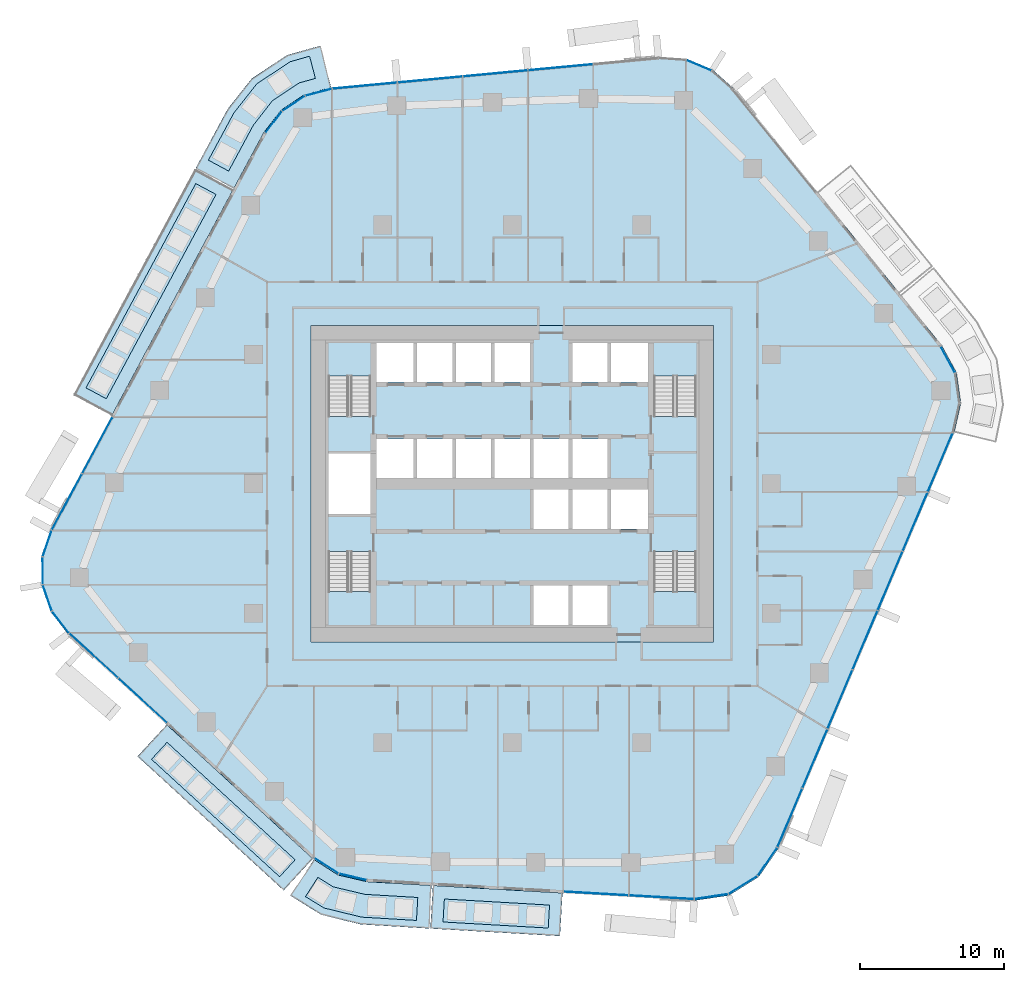
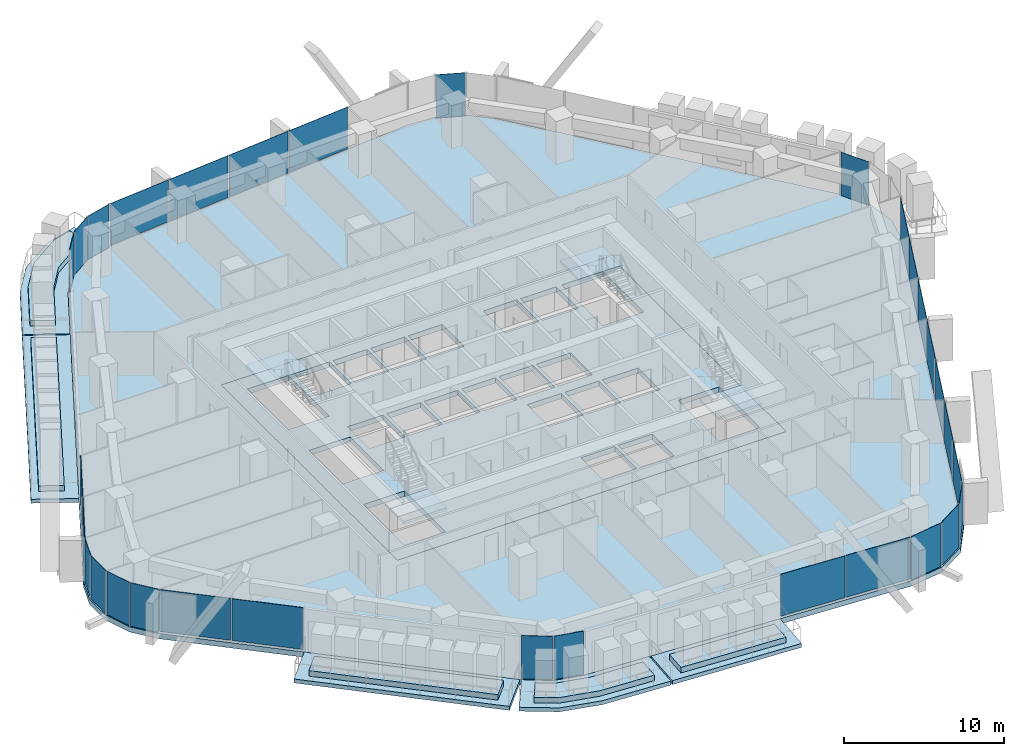
# One storey, part 10 of 23: 31 plates, 16 slabs, 15 elements without a shape of their own.
"""IFC4 building model written with IfcOpenShell, lengths in metres."""

from ifc_helpers import new_model, si_unit, direction, frame, origin, origin_2d, place, context, subcontext, project, spatial, polyline, rectangle, outline, extrude, material, layer, layer_set, type_object, element, aggregate, save


model = new_model("IFC4")

# Units and contexts
model_context = context("Model", 3, precision=1e-05, world=origin(), true_north=direction((0.0, 1.0)))
body_context = subcontext(model_context, "Body", "Model", "MODEL_VIEW")
ifc_project = project(units=[si_unit("LENGTHUNIT", "METRE"), si_unit("AREAUNIT", "SQUARE_METRE"), si_unit("VOLUMEUNIT", "CUBIC_METRE"), si_unit("PLANEANGLEUNIT", "RADIAN"), si_unit("MASSUNIT", "GRAM", prefix="KILO")], contexts=[model_context])

# Site, building, storey
site_placement = place(None, origin())
site = spatial("IfcSite", under=ifc_project, at=site_placement, CompositionType="ELEMENT")
building_placement = place(site_placement, origin())
building = spatial("IfcBuilding", under=site, at=building_placement, Name="Dongbaek Canopy Tower", CompositionType="ELEMENT")
storey_placement = place(building_placement, frame((0.0, 0.0, 121.10009765625)))
storey = spatial("IfcBuildingStorey", under=building, at=storey_placement, Name="L26", CompositionType="ELEMENT", Elevation=121.10009765625)

# Slabs
ifc_material_1 = material(Name="Concrete C40/50", Category="concrete")
ifc_layer_1 = layer(ifc_material_1, 0.300048828125)
ifc_layer_set_1 = layer_set([ifc_layer_1], Name="Balcony slab 300")
slab_type_1 = type_object("IfcSlabType", Name="Balcony slab 300", PredefinedType="FLOOR", material=ifc_layer_set_1)
slab_1_placement = place(storey_placement, frame((0.0, 0.0, -0.300048828125)))
element("IfcSlab", 1, at=slab_1_placement, inside=storey, type_object=slab_type_1, Name="Balcony L26 2", PredefinedType="FLOOR", context=body_context, shape_type="SweptSolid", body=[
    extrude(outline(polyline([(-19.41796875, 20.454833984375), (-27.858154296875, 4.7509765625), (-30.500732421875, 6.171142578125), (-22.060546875, 21.875), (-19.41796875, 20.454833984375)])), origin(), (0.0, 0.0, 1.0), 0.300048828125),
])
slab_2_placement = place(storey_placement, frame((0.0, 0.0, -0.300048828125)))
element("IfcSlab", 2, at=slab_2_placement, inside=storey, type_object=slab_type_1, Name="Balcony L26 6", PredefinedType="FLOOR", context=body_context, shape_type="SweptSolid", body=[
    extrude(outline(polyline([(-12.59619140625, 27.5673828125), (-14.442626953125, 27.0810546875), (-16.07568359375, 25.998046875), (-17.2724609375, 24.44677734375), (-19.370849609375, 20.54296875), (-22.01318359375, 21.963134765625), (-19.789794921875, 26.078857421875), (-18.11962890625, 28.194091796875), (-15.670166015625, 29.818359375), (-13.3603515625, 30.468505859375), (-12.59619140625, 27.5673828125)])), origin(), (0.0, 0.0, 1.0), 0.300048828125),
])
slab_3_placement = place(storey_placement, frame((0.0, 0.0, -0.300048828125)))
element("IfcSlab", 3, at=slab_3_placement, inside=storey, type_object=slab_type_1, Name="Balcony L26 3", PredefinedType="FLOOR", context=body_context, shape_type="SweptSolid", body=[
    extrude(outline(polyline([(-24.036376953125, -16.743896484375), (-13.875244140625, -26.064697265625), (-15.903076171875, -28.275390625), (-26.064208984375, -18.95458984375), (-24.036376953125, -16.743896484375)])), origin(), (0.0, 0.0, 1.0), 0.300048828125),
])
slab_4_placement = place(storey_placement, frame((0.0, 0.0, -0.300048828125)))
element("IfcSlab", 4, at=slab_4_placement, inside=storey, type_object=slab_type_1, Name="Balcony L26 4", PredefinedType="FLOOR", context=body_context, shape_type="SweptSolid", body=[
    extrude(outline(polyline([(-5.52294921875, -27.933349609375), (3.489501953125, -28.45458984375), (3.316162109375, -31.44970703125), (-5.6962890625, -30.92822265625), (-5.52294921875, -27.933349609375)])), origin(), (0.0, 0.0, 1.0), 0.300048828125),
])
slab_5_placement = place(storey_placement, frame((0.0, 0.0, -0.300048828125)))
element("IfcSlab", 5, at=slab_5_placement, inside=storey, type_object=slab_type_1, Name="Balcony L26 7", PredefinedType="FLOOR", context=body_context, shape_type="SweptSolid", body=[
    extrude(outline(polyline([(-13.79638671875, -26.12548828125), (-12.119140625, -27.203125), (-10.12890625, -27.666748046875), (-5.622802734375, -27.927490234375), (-5.796142578125, -30.922607421875), (-10.5576171875, -30.635986328125), (-13.28759765625, -29.96630859375), (-15.418212890625, -28.649169921875), (-13.79638671875, -26.12548828125)])), origin(), (0.0, 0.0, 1.0), 0.300048828125),
])

# Curtain wall, plate
ifc_material_2 = material(Name="Aluminium 6063-T6 pale anodised", Category="aluminium")
ifc_layer_2 = layer(ifc_material_2, 0.199951171875)
ifc_layer_set_2 = layer_set([ifc_layer_2], Name="CW-1 unitised tower curtain wall")
curtain_wall_type = type_object("IfcCurtainWallType", Name="CW-1 unitised tower curtain wall", PredefinedType="NOTDEFINED", material=ifc_layer_set_2)
curtain_wall_1_placement = place(storey_placement, origin())
curtain_wall_1 = element("IfcCurtainWall", 6, at=curtain_wall_1_placement, inside=storey, type_object=curtain_wall_type, Name="CW-1 curtain wall K0.1", PredefinedType="NOTDEFINED")
ifc_material_3 = material(Name="Clear laminated glass", Category="glass")
ifc_layer_3 = layer(ifc_material_3, 0.028076171875)
ifc_layer_set_3 = layer_set([ifc_layer_3], Name="CW-1 glazed panel 28")
plate_type = type_object("IfcPlateType", Name="CW-1 glazed panel 28", PredefinedType="CURTAIN_PANEL", material=ifc_layer_set_3)
plate_1_placement = place(storey_placement, frame((30.29248046875, 8.640869140625, 0.0), z_axis=(0.0, 0.0, 1.0), x_axis=(-0.479865359052, 0.87734214374, 0.0)))
plate_1 = element("IfcPlate", 7, at=plate_1_placement, type_object=plate_type, Name="CW-1 panel K0.1.3.1", PredefinedType="CURTAIN_PANEL", context=body_context, shape_type="SweptSolid", body=[
    extrude(rectangle(XDim=2.038818359375, YDim=0.028076171875, at=origin_2d()), origin(), (0.0, 0.0, 1.0), 3.300048828125),
])
aggregate(curtain_wall_1, [plate_1])

curtain_wall_2_placement = place(storey_placement, origin())
curtain_wall_2 = element("IfcCurtainWall", 8, at=curtain_wall_2_placement, inside=storey, type_object=curtain_wall_type, Name="CW-1 curtain wall K1.1", PredefinedType="NOTDEFINED")
plate_2_placement = place(storey_placement, frame((12.978759765625, 29.1005859375, 0.0), z_axis=(0.0, 0.0, 1.0), x_axis=(-0.921720182996, 0.387855519823, 0.0)))
plate_2 = element("IfcPlate", 9, at=plate_2_placement, type_object=plate_type, Name="CW-1 panel K1.1.2.1", PredefinedType="CURTAIN_PANEL", context=body_context, shape_type="SweptSolid", body=[
    extrude(rectangle(XDim=1.841552734375, YDim=0.028076171875, at=origin_2d()), origin(), (0.0, 0.0, 1.0), 3.300048828125),
])
aggregate(curtain_wall_2, [plate_2])

# Curtain wall, plates
curtain_wall_3_placement = place(storey_placement, origin())
curtain_wall_3 = element("IfcCurtainWall", 10, at=curtain_wall_3_placement, inside=storey, type_object=curtain_wall_type, Name="CW-1 curtain wall F1.1", PredefinedType="NOTDEFINED")
plate_3_placement = place(storey_placement, frame((3.35791015625, 28.971923828125, 0.1201171875), z_axis=(0.0, 0.0, 1.0), x_axis=(-0.995628871634, -0.093397804951, 0.0)))
plate_3 = element("IfcPlate", 11, at=plate_3_placement, type_object=plate_type, Name="CW-1 panel F1.1.2.1", PredefinedType="CURTAIN_PANEL", context=body_context, shape_type="SweptSolid", body=[
    extrude(rectangle(XDim=4.477783203125, YDim=0.028076171875, at=origin_2d()), origin(), (0.0, 0.0, 1.0), 3.179931640625),
])
plate_4_placement = place(storey_placement, frame((-1.18408203125, 28.545654296875, 0.1201171875), z_axis=(0.0, 0.0, 1.0), x_axis=(-0.995628871634, -0.093397804951, 0.0)))
plate_4 = element("IfcPlate", 12, at=plate_4_placement, type_object=plate_type, Name="CW-1 panel F1.1.3.1", PredefinedType="CURTAIN_PANEL", context=body_context, shape_type="SweptSolid", body=[
    extrude(rectangle(XDim=4.477783203125, YDim=0.028076171875, at=origin_2d()), origin(), (0.0, 0.0, 1.0), 3.179931640625),
])
plate_5_placement = place(storey_placement, frame((-5.725830078125, 28.11962890625, 0.1201171875), z_axis=(0.0, 0.0, 1.0), x_axis=(-0.995628871634, -0.093397804951, 0.0)))
plate_5 = element("IfcPlate", 13, at=plate_5_placement, type_object=plate_type, Name="CW-1 panel F1.1.4.1", PredefinedType="CURTAIN_PANEL", context=body_context, shape_type="SweptSolid", body=[
    extrude(rectangle(XDim=4.477783203125, YDim=0.028076171875, at=origin_2d()), origin(), (0.0, 0.0, 1.0), 3.179931640625),
])
plate_6_placement = place(storey_placement, frame((-10.263671875, 27.694091796875, 0.1201171875), z_axis=(0.0, 0.0, 1.0), x_axis=(-0.995628871634, -0.093397804951, 0.0)))
plate_6 = element("IfcPlate", 14, at=plate_6_placement, type_object=plate_type, Name="CW-1 panel F1.1.5.1", PredefinedType="CURTAIN_PANEL", context=body_context, shape_type="SweptSolid", body=[
    extrude(rectangle(XDim=4.469482421875, YDim=0.028076171875, at=origin_2d()), origin(), (0.0, 0.0, 1.0), 3.179931640625),
])
aggregate(curtain_wall_3, [plate_3, plate_4, plate_5, plate_6])

curtain_wall_4_placement = place(storey_placement, origin())
curtain_wall_4 = element("IfcCurtainWall", 15, at=curtain_wall_4_placement, inside=storey, type_object=curtain_wall_type, Name="CW-1 curtain wall K2.1", PredefinedType="NOTDEFINED")
plate_7_placement = place(storey_placement, frame((-13.4658203125, 27.235107421875, 0.0), z_axis=(0.0, 0.0, 1.0), x_axis=(-0.967016491994, -0.254713769182, 0.0)))
plate_7 = element("IfcPlate", 16, at=plate_7_placement, type_object=plate_type, Name="CW-1 panel K2.1.1.1", PredefinedType="CURTAIN_PANEL", context=body_context, shape_type="SweptSolid", body=[
    extrude(rectangle(XDim=1.8505859375, YDim=0.028076171875, at=origin_2d()), origin(), (0.0, 0.0, 1.0), 3.300048828125),
])
plate_8_placement = place(storey_placement, frame((-15.203857421875, 26.456298828125, 0.0), z_axis=(0.0, 0.0, 1.0), x_axis=(-0.833387890824, -0.552688541068, 0.0)))
plate_8 = element("IfcPlate", 17, at=plate_8_placement, type_object=plate_type, Name="CW-1 panel K2.1.2.1", PredefinedType="CURTAIN_PANEL", context=body_context, shape_type="SweptSolid", body=[
    extrude(rectangle(XDim=1.84228515625, YDim=0.028076171875, at=origin_2d()), origin(), (0.0, 0.0, 1.0), 3.300048828125),
])
plate_9_placement = place(storey_placement, frame((-16.597412109375, 25.158203125, 0.0), z_axis=(0.0, 0.0, 1.0), x_axis=(-0.610882164883, -0.791721529724, 0.0)))
plate_9 = element("IfcPlate", 18, at=plate_9_placement, type_object=plate_type, Name="CW-1 panel K2.1.3.1", PredefinedType="CURTAIN_PANEL", context=body_context, shape_type="SweptSolid", body=[
    extrude(rectangle(XDim=1.8505859375, YDim=0.028076171875, at=origin_2d()), origin(), (0.0, 0.0, 1.0), 3.300048828125),
])
aggregate(curtain_wall_4, [plate_7, plate_8, plate_9])

curtain_wall_5_placement = place(storey_placement, origin())
curtain_wall_5 = element("IfcCurtainWall", 19, at=curtain_wall_5_placement, inside=storey, type_object=curtain_wall_type, Name="CW-1 curtain wall F2.1", PredefinedType="NOTDEFINED")
plate_10_placement = place(storey_placement, frame((-28.854736328125, 2.685546875, 0.1201171875), z_axis=(0.0, 0.0, 1.0), x_axis=(-0.473408868372, -0.880842802858, 0.0)))
plate_10 = element("IfcPlate", 20, at=plate_10_placement, type_object=plate_type, Name="CW-1 panel F2.1.1.1", PredefinedType="CURTAIN_PANEL", context=body_context, shape_type="SweptSolid", body=[
    extrude(rectangle(XDim=4.39794921875, YDim=0.028076171875, at=origin_2d()), origin(), (0.0, 0.0, 1.0), 3.179931640625),
])
plate_11_placement = place(storey_placement, frame((-30.974609375, -1.2587890625, 0.1201171875), z_axis=(0.0, 0.0, 1.0), x_axis=(-0.473408868372, -0.880842802858, 0.0)))
plate_11 = element("IfcPlate", 21, at=plate_11_placement, type_object=plate_type, Name="CW-1 panel F2.1.2.1", PredefinedType="CURTAIN_PANEL", context=body_context, shape_type="SweptSolid", body=[
    extrude(rectangle(XDim=4.389892578125, YDim=0.028076171875, at=origin_2d()), origin(), (0.0, 0.0, 1.0), 3.179931640625),
])
aggregate(curtain_wall_5, [plate_10, plate_11])

curtain_wall_6_placement = place(storey_placement, origin())
curtain_wall_6 = element("IfcCurtainWall", 22, at=curtain_wall_6_placement, inside=storey, type_object=curtain_wall_type, Name="CW-1 curtain wall K3.1", PredefinedType="NOTDEFINED")
plate_12_placement = place(storey_placement, frame((-32.347412109375, -4.1513671875, 0.0), z_axis=(0.0, 0.0, 1.0), x_axis=(-0.322102411713, -0.946704830646, 0.0)))
plate_12 = element("IfcPlate", 23, at=plate_12_placement, type_object=plate_type, Name="CW-1 panel K3.1.1.1", PredefinedType="CURTAIN_PANEL", context=body_context, shape_type="SweptSolid", body=[
    extrude(rectangle(XDim=1.864501953125, YDim=0.028076171875, at=origin_2d()), origin(), (0.0, 0.0, 1.0), 3.300048828125),
])
plate_13_placement = place(storey_placement, frame((-32.65869140625, -6.0439453125, 0.0), z_axis=(0.0, 0.0, 1.0), x_axis=(0.002465299331, -0.999996961145, 0.0)))
plate_13 = element("IfcPlate", 24, at=plate_13_placement, type_object=plate_type, Name="CW-1 panel K3.1.2.1", PredefinedType="CURTAIN_PANEL", context=body_context, shape_type="SweptSolid", body=[
    extrude(rectangle(XDim=1.856201171875, YDim=0.028076171875, at=origin_2d()), origin(), (0.0, 0.0, 1.0), 3.300048828125),
])
plate_14_placement = place(storey_placement, frame((-32.33935546875, -7.9306640625, 0.0), z_axis=(0.0, 0.0, 1.0), x_axis=(0.326766303833, -0.945105170169, 0.0)))
plate_14 = element("IfcPlate", 25, at=plate_14_placement, type_object=plate_type, Name="CW-1 panel K3.1.3.1", PredefinedType="CURTAIN_PANEL", context=body_context, shape_type="SweptSolid", body=[
    extrude(rectangle(XDim=1.856201171875, YDim=0.028076171875, at=origin_2d()), origin(), (0.0, 0.0, 1.0), 3.300048828125),
])
plate_15_placement = place(storey_placement, frame((-31.422607421875, -9.615234375, 0.0), z_axis=(0.0, 0.0, 1.0), x_axis=(0.615716340737, -0.787967884973, 0.0)))
plate_15 = element("IfcPlate", 26, at=plate_15_placement, type_object=plate_type, Name="CW-1 panel K3.1.4.1", PredefinedType="CURTAIN_PANEL", context=body_context, shape_type="SweptSolid", body=[
    extrude(rectangle(XDim=1.864501953125, YDim=0.028076171875, at=origin_2d()), origin(), (0.0, 0.0, 1.0), 3.300048828125),
])
aggregate(curtain_wall_6, [plate_12, plate_13, plate_14, plate_15])

curtain_wall_7_placement = place(storey_placement, origin())
curtain_wall_7 = element("IfcCurtainWall", 27, at=curtain_wall_7_placement, inside=storey, type_object=curtain_wall_type, Name="CW-1 curtain wall F3.1", PredefinedType="NOTDEFINED")
plate_16_placement = place(storey_placement, frame((-29.119873046875, -11.94482421875, 0.1201171875), z_axis=(0.0, 0.0, 1.0), x_axis=(0.73691964934, -0.675980347655, 0.0)))
plate_16 = element("IfcPlate", 28, at=plate_16_placement, type_object=plate_type, Name="CW-1 panel F3.1.1.1", PredefinedType="CURTAIN_PANEL", context=body_context, shape_type="SweptSolid", body=[
    extrude(rectangle(XDim=4.537353515625, YDim=0.028076171875, at=origin_2d()), origin(), (0.0, 0.0, 1.0), 3.179931640625),
])
plate_17_placement = place(storey_placement, frame((-25.71142578125, -15.071533203125, 0.1201171875), z_axis=(0.0, 0.0, 1.0), x_axis=(0.73691964934, -0.675980347655, 0.0)))
plate_17 = element("IfcPlate", 29, at=plate_17_placement, type_object=plate_type, Name="CW-1 panel F3.1.2.1", PredefinedType="CURTAIN_PANEL", context=body_context, shape_type="SweptSolid", body=[
    extrude(rectangle(XDim=4.54541015625, YDim=0.028076171875, at=origin_2d()), origin(), (0.0, 0.0, 1.0), 3.179931640625),
])
aggregate(curtain_wall_7, [plate_16, plate_17])

curtain_wall_8_placement = place(storey_placement, origin())
curtain_wall_8 = element("IfcCurtainWall", 30, at=curtain_wall_8_placement, inside=storey, type_object=curtain_wall_type, Name="CW-1 curtain wall K4.1", PredefinedType="NOTDEFINED")
plate_18_placement = place(storey_placement, frame((-12.928466796875, -26.564208984375, 0.0), z_axis=(0.0, 0.0, 1.0), x_axis=(0.84127065306, -0.540614176933, 0.0)))
plate_18 = element("IfcPlate", 31, at=plate_18_placement, type_object=plate_type, Name="CW-1 panel K4.1.1.1", PredefinedType="CURTAIN_PANEL", context=body_context, shape_type="SweptSolid", body=[
    extrude(rectangle(XDim=1.93359375, YDim=0.028076171875, at=origin_2d()), origin(), (0.0, 0.0, 1.0), 3.300048828125),
])
plate_19_placement = place(storey_placement, frame((-11.09716796875, -27.338623046875, 0.0), z_axis=(0.0, 0.0, 1.0), x_axis=(0.973913734887, -0.226918569092, 0.0)))
plate_19 = element("IfcPlate", 32, at=plate_19_placement, type_object=plate_type, Name="CW-1 panel K4.1.2.1", PredefinedType="CURTAIN_PANEL", context=body_context, shape_type="SweptSolid", body=[
    extrude(rectangle(XDim=1.93359375, YDim=0.028076171875, at=origin_2d()), origin(), (0.0, 0.0, 1.0), 3.300048828125),
])
aggregate(curtain_wall_8, [plate_18, plate_19])

curtain_wall_9_placement = place(storey_placement, origin())
curtain_wall_9 = element("IfcCurtainWall", 33, at=curtain_wall_9_placement, inside=storey, type_object=curtain_wall_type, Name="CW-1 curtain wall F4.1", PredefinedType="NOTDEFINED")
plate_20_placement = place(storey_placement, frame((5.8232421875, -28.489501953125, 0.1201171875), z_axis=(0.0, 0.0, 1.0), x_axis=(0.998330893109, -0.057753163239, 0.0)))
plate_20 = element("IfcPlate", 34, at=plate_20_placement, type_object=plate_type, Name="CW-1 panel F4.1.1.1", PredefinedType="CURTAIN_PANEL", context=body_context, shape_type="SweptSolid", body=[
    extrude(rectangle(XDim=4.479736328125, YDim=0.028076171875, at=origin_2d()), origin(), (0.0, 0.0, 1.0), 3.179931640625),
])
plate_21_placement = place(storey_placement, frame((10.374267578125, -28.752685546875, 0.1201171875), z_axis=(0.0, 0.0, 1.0), x_axis=(0.998330893109, -0.057753163239, 0.0)))
plate_21 = element("IfcPlate", 35, at=plate_21_placement, type_object=plate_type, Name="CW-1 panel F4.1.2.1", PredefinedType="CURTAIN_PANEL", context=body_context, shape_type="SweptSolid", body=[
    extrude(rectangle(XDim=4.469482421875, YDim=0.028076171875, at=origin_2d()), origin(), (0.0, 0.0, 1.0), 3.179931640625),
])
aggregate(curtain_wall_9, [plate_20, plate_21])

curtain_wall_10_placement = place(storey_placement, origin())
curtain_wall_10 = element("IfcCurtainWall", 36, at=curtain_wall_10_placement, inside=storey, type_object=curtain_wall_type, Name="CW-1 curtain wall K5.1", PredefinedType="NOTDEFINED")
plate_22_placement = place(storey_placement, frame((13.83837890625, -28.7080078125, 0.0), z_axis=(0.0, 0.0, 1.0), x_axis=(0.989224591579, 0.146405967824, 0.0)))
plate_22 = element("IfcPlate", 37, at=plate_22_placement, type_object=plate_type, Name="CW-1 panel K5.1.1.1", PredefinedType="CURTAIN_PANEL", context=body_context, shape_type="SweptSolid", body=[
    extrude(rectangle(XDim=2.324462890625, YDim=0.028076171875, at=origin_2d()), origin(), (0.0, 0.0, 1.0), 3.300048828125),
])
plate_23_placement = place(storey_placement, frame((16.0478515625, -27.8984375, 0.0), z_axis=(0.0, 0.0, 1.0), x_axis=(0.849176171433, 0.528109675987, 0.0)))
plate_23 = element("IfcPlate", 38, at=plate_23_placement, type_object=plate_type, Name="CW-1 panel K5.1.2.1", PredefinedType="CURTAIN_PANEL", context=body_context, shape_type="SweptSolid", body=[
    extrude(rectangle(XDim=2.31396484375, YDim=0.028076171875, at=origin_2d()), origin(), (0.0, 0.0, 1.0), 3.300048828125),
])
plate_24_placement = place(storey_placement, frame((17.7509765625, -26.274658203125, 0.0), z_axis=(0.0, 0.0, 1.0), x_axis=(0.568749350767, 0.822510897194, 0.0)))
plate_24 = element("IfcPlate", 39, at=plate_24_placement, type_object=plate_type, Name="CW-1 panel K5.1.3.1", PredefinedType="CURTAIN_PANEL", context=body_context, shape_type="SweptSolid", body=[
    extrude(rectangle(XDim=2.324462890625, YDim=0.028076171875, at=origin_2d()), origin(), (0.0, 0.0, 1.0), 3.300048828125),
])
aggregate(curtain_wall_10, [plate_22, plate_23, plate_24])

curtain_wall_11_placement = place(storey_placement, origin())
curtain_wall_11 = element("IfcCurtainWall", 40, at=curtain_wall_11_placement, inside=storey, type_object=curtain_wall_type, Name="CW-1 curtain wall F5.1", PredefinedType="NOTDEFINED")
plate_25_placement = place(storey_placement, frame((19.3056640625, -23.228515625, 0.1201171875), z_axis=(0.0, 0.0, 1.0), x_axis=(0.389662506836, 0.920957724744, 0.0)))
plate_25 = element("IfcPlate", 41, at=plate_25_placement, type_object=plate_type, Name="CW-1 panel F5.1.1.1", PredefinedType="CURTAIN_PANEL", context=body_context, shape_type="SweptSolid", body=[
    extrude(rectangle(XDim=4.38037109375, YDim=0.028076171875, at=origin_2d()), origin(), (0.0, 0.0, 1.0), 3.179931640625),
])
plate_26_placement = place(storey_placement, frame((21.04736328125, -19.1123046875, 0.1201171875), z_axis=(0.0, 0.0, 1.0), x_axis=(0.389662506836, 0.920957724744, 0.0)))
plate_26 = element("IfcPlate", 42, at=plate_26_placement, type_object=plate_type, Name="CW-1 panel F5.1.2.1", PredefinedType="CURTAIN_PANEL", context=body_context, shape_type="SweptSolid", body=[
    extrude(rectangle(XDim=4.390625, YDim=0.028076171875, at=origin_2d()), origin(), (0.0, 0.0, 1.0), 3.179931640625),
])
plate_27_placement = place(storey_placement, frame((22.791015625, -14.9912109375, 0.1201171875), z_axis=(0.0, 0.0, 1.0), x_axis=(0.389662506836, 0.920957724744, 0.0)))
plate_27 = element("IfcPlate", 43, at=plate_27_placement, type_object=plate_type, Name="CW-1 panel F5.1.3.1", PredefinedType="CURTAIN_PANEL", context=body_context, shape_type="SweptSolid", body=[
    extrude(rectangle(XDim=4.390625, YDim=0.028076171875, at=origin_2d()), origin(), (0.0, 0.0, 1.0), 3.179931640625),
])
plate_28_placement = place(storey_placement, frame((24.534423828125, -10.870361328125, 0.1201171875), z_axis=(0.0, 0.0, 1.0), x_axis=(0.389662506836, 0.920957724744, 0.0)))
plate_28 = element("IfcPlate", 44, at=plate_28_placement, type_object=plate_type, Name="CW-1 panel F5.1.4.1", PredefinedType="CURTAIN_PANEL", context=body_context, shape_type="SweptSolid", body=[
    extrude(rectangle(XDim=4.390625, YDim=0.028076171875, at=origin_2d()), origin(), (0.0, 0.0, 1.0), 3.179931640625),
])
plate_29_placement = place(storey_placement, frame((26.278076171875, -6.749267578125, 0.1201171875), z_axis=(0.0, 0.0, 1.0), x_axis=(0.389662506836, 0.920957724744, 0.0)))
plate_29 = element("IfcPlate", 45, at=plate_29_placement, type_object=plate_type, Name="CW-1 panel F5.1.5.1", PredefinedType="CURTAIN_PANEL", context=body_context, shape_type="SweptSolid", body=[
    extrude(rectangle(XDim=4.390625, YDim=0.028076171875, at=origin_2d()), origin(), (0.0, 0.0, 1.0), 3.179931640625),
])
plate_30_placement = place(storey_placement, frame((28.021728515625, -2.62841796875, 0.1201171875), z_axis=(0.0, 0.0, 1.0), x_axis=(0.389662506836, 0.920957724744, 0.0)))
plate_30 = element("IfcPlate", 46, at=plate_30_placement, type_object=plate_type, Name="CW-1 panel F5.1.6.1", PredefinedType="CURTAIN_PANEL", context=body_context, shape_type="SweptSolid", body=[
    extrude(rectangle(XDim=4.390625, YDim=0.028076171875, at=origin_2d()), origin(), (0.0, 0.0, 1.0), 3.179931640625),
])
plate_31_placement = place(storey_placement, frame((29.763671875, 1.488525390625, 0.1201171875), z_axis=(0.0, 0.0, 1.0), x_axis=(0.389662506836, 0.920957724744, 0.0)))
plate_31 = element("IfcPlate", 47, at=plate_31_placement, type_object=plate_type, Name="CW-1 panel F5.1.7.1", PredefinedType="CURTAIN_PANEL", context=body_context, shape_type="SweptSolid", body=[
    extrude(rectangle(XDim=4.381591796875, YDim=0.028076171875, at=origin_2d()), origin(), (0.0, 0.0, 1.0), 3.179931640625),
])
aggregate(curtain_wall_11, [plate_25, plate_26, plate_27, plate_28, plate_29, plate_30, plate_31])

# Slab
ifc_material_4 = material(Name="Concrete C40/50", Category="concrete")
ifc_layer_4 = layer(ifc_material_4, 0.39990234375)
ifc_layer_set_4 = layer_set([ifc_layer_4], Name="Core floor slab 400 Concrete C40/50")
slab_type_2 = type_object("IfcSlabType", Name="Core floor slab 400 Concrete C40/50", PredefinedType="FLOOR", material=ifc_layer_set_4)
slab_6_placement = place(storey_placement, frame((0.0, 0.0, -0.400146484375)))
element("IfcSlab", 48, at=slab_6_placement, inside=storey, type_object=slab_type_2, Name="Core floor slab L26", PredefinedType="FLOOR", context=body_context, shape_type="SweptSolid", body=[
    extrude(outline(polyline([(14.0, -11.0), (14.0, 11.0), (-14.0, 11.0), (-14.0, -11.0), (14.0, -11.0)]), holes=[polyline([(-12.800048828125, 2.10009765625), (-9.85009765625, 2.10009765625), (-9.85009765625, -2.10009765625), (-12.800048828125, -2.10009765625), (-12.800048828125, 2.10009765625)]), polyline([(-6.875, 9.800048828125), (-6.875, 7.074951171875), (-9.449951171875, 7.074951171875), (-9.449951171875, 9.800048828125), (-6.875, 9.800048828125)]), polyline([(-4.175048828125, 9.800048828125), (-4.175048828125, 7.074951171875), (-6.625, 7.074951171875), (-6.625, 9.800048828125), (-4.175048828125, 9.800048828125)]), polyline([(-1.47509765625, 9.800048828125), (-1.47509765625, 7.074951171875), (-3.925048828125, 7.074951171875), (-3.925048828125, 9.800048828125), (-1.47509765625, 9.800048828125)]), polyline([(1.22509765625, 9.800048828125), (1.22509765625, 7.074951171875), (-1.22509765625, 7.074951171875), (-1.22509765625, 9.800048828125), (1.22509765625, 9.800048828125)]), polyline([(6.625, 9.800048828125), (6.625, 7.074951171875), (4.175048828125, 7.074951171875), (4.175048828125, 9.800048828125), (6.625, 9.800048828125)]), polyline([(9.449951171875, 7.074951171875), (6.875, 7.074951171875), (6.875, 9.800048828125), (9.449951171875, 9.800048828125), (9.449951171875, 7.074951171875)]), polyline([(-9.449951171875, 3.125), (-6.875, 3.125), (-6.875, 0.39990234375), (-9.449951171875, 0.39990234375), (-9.449951171875, 3.125)]), polyline([(-6.625, 3.125), (-4.175048828125, 3.125), (-4.175048828125, 0.39990234375), (-6.625, 0.39990234375), (-6.625, 3.125)]), polyline([(-3.925048828125, 3.125), (-1.47509765625, 3.125), (-1.47509765625, 0.39990234375), (-3.925048828125, 0.39990234375), (-3.925048828125, 3.125)]), polyline([(-1.22509765625, 0.39990234375), (-1.22509765625, 3.125), (1.22509765625, 3.125), (1.22509765625, 0.39990234375), (-1.22509765625, 0.39990234375)]), polyline([(3.925048828125, 3.125), (3.925048828125, 0.39990234375), (1.47509765625, 0.39990234375), (1.47509765625, 3.125), (3.925048828125, 3.125)]), polyline([(4.175048828125, 3.125), (6.625, 3.125), (6.625, 0.39990234375), (4.175048828125, 0.39990234375), (4.175048828125, 3.125)]), polyline([(1.47509765625, -0.39990234375), (3.925048828125, -0.39990234375), (3.925048828125, -3.125), (1.47509765625, -3.125), (1.47509765625, -0.39990234375)]), polyline([(4.175048828125, -3.125), (4.175048828125, -0.39990234375), (6.625, -0.39990234375), (6.625, -3.125), (4.175048828125, -3.125)]), polyline([(9.449951171875, -3.125), (6.875, -3.125), (6.875, -0.39990234375), (9.449951171875, -0.39990234375), (9.449951171875, -3.125)]), polyline([(1.47509765625, -9.800048828125), (1.47509765625, -7.074951171875), (3.925048828125, -7.074951171875), (3.925048828125, -9.800048828125), (1.47509765625, -9.800048828125)]), polyline([(4.175048828125, -9.800048828125), (4.175048828125, -7.074951171875), (6.625, -7.074951171875), (6.625, -9.800048828125), (4.175048828125, -9.800048828125)]), polyline([(12.800048828125, 4.70068359375), (12.800048828125, 9.800048828125), (9.85009765625, 9.800048828125), (9.85009765625, 4.70068359375), (12.800048828125, 4.70068359375)]), polyline([(-9.85009765625, 4.70068359375), (-9.85009765625, 9.800048828125), (-12.800048828125, 9.800048828125), (-12.800048828125, 4.70068359375), (-9.85009765625, 4.70068359375)]), polyline([(9.85009765625, -4.70068359375), (9.85009765625, -9.800048828125), (12.800048828125, -9.800048828125), (12.800048828125, -4.70068359375), (9.85009765625, -4.70068359375)]), polyline([(-12.800048828125, -4.70068359375), (-12.800048828125, -9.800048828125), (-9.85009765625, -9.800048828125), (-9.85009765625, -4.70068359375), (-12.800048828125, -4.70068359375)])]), origin(), (0.0, 0.0, 1.0), 0.400146484375),
])

# Stair, slab
ifc_material_5 = material(Name="Concrete C40/50", Category="concrete")
stair_type = type_object("IfcStairType", Name="Core exit stair", PredefinedType="HALF_TURN_STAIR", material=ifc_material_5)
stair_1_placement = place(storey_placement, origin())
stair_1 = element("IfcStair", 49, at=stair_1_placement, inside=storey, type_object=stair_type, Name="L26 exit stair A", PredefinedType="HALF_TURN_STAIR")
ifc_material_6 = material(Name="Concrete C40/50", Category="concrete")
ifc_layer_5 = layer(ifc_material_6, 0.199951171875)
ifc_layer_set_5 = layer_set([ifc_layer_5], Name="Core stair landing 200")
slab_type_3 = type_object("IfcSlabType", Name="Core stair landing 200", PredefinedType="LANDING", material=ifc_layer_set_5)
slab_7_placement = place(storey_placement, frame((0.0, 0.0, 1.64990234375)))
slab_7 = element("IfcSlab", 50, at=slab_7_placement, type_object=slab_type_3, Name="ST-A landing 1", PredefinedType="LANDING", context=body_context, shape_type="SweptSolid", body=[
    extrude(outline(polyline([(12.875, 7.5), (12.875, 9.875), (9.77490234375, 9.875), (9.77490234375, 7.5), (12.875, 7.5)])), origin(), (0.0, 0.0, 1.0), 0.199951171875),
])
aggregate(stair_1, [slab_7])

stair_2_placement = place(storey_placement, origin())
stair_2 = element("IfcStair", 51, at=stair_2_placement, inside=storey, type_object=stair_type, Name="L26 exit stair C", PredefinedType="HALF_TURN_STAIR")
slab_8_placement = place(storey_placement, frame((0.0, 0.0, 1.64990234375)))
slab_8 = element("IfcSlab", 52, at=slab_8_placement, type_object=slab_type_3, Name="ST-C landing 1", PredefinedType="LANDING", context=body_context, shape_type="SweptSolid", body=[
    extrude(outline(polyline([(-9.77490234375, 7.5), (-9.77490234375, 9.875), (-12.875, 9.875), (-12.875, 7.5), (-9.77490234375, 7.5)])), origin(), (0.0, 0.0, 1.0), 0.199951171875),
])
aggregate(stair_2, [slab_8])

stair_3_placement = place(storey_placement, origin())
stair_3 = element("IfcStair", 53, at=stair_3_placement, inside=storey, type_object=stair_type, Name="L26 exit stair B", PredefinedType="HALF_TURN_STAIR")
slab_9_placement = place(storey_placement, frame((0.0, 0.0, 1.64990234375)))
slab_9 = element("IfcSlab", 54, at=slab_9_placement, type_object=slab_type_3, Name="ST-B landing 1", PredefinedType="LANDING", context=body_context, shape_type="SweptSolid", body=[
    extrude(outline(polyline([(9.77490234375, -7.5), (9.77490234375, -9.875), (12.875, -9.875), (12.875, -7.5), (9.77490234375, -7.5)])), origin(), (0.0, 0.0, 1.0), 0.199951171875),
])
aggregate(stair_3, [slab_9])

stair_4_placement = place(storey_placement, origin())
stair_4 = element("IfcStair", 55, at=stair_4_placement, inside=storey, type_object=stair_type, Name="L26 exit stair D", PredefinedType="HALF_TURN_STAIR")
slab_10_placement = place(storey_placement, frame((0.0, 0.0, 1.64990234375)))
slab_10 = element("IfcSlab", 56, at=slab_10_placement, type_object=slab_type_3, Name="ST-D landing 1", PredefinedType="LANDING", context=body_context, shape_type="SweptSolid", body=[
    extrude(outline(polyline([(-12.875, -7.5), (-12.875, -9.875), (-9.77490234375, -9.875), (-9.77490234375, -7.5), (-12.875, -7.5)])), origin(), (0.0, 0.0, 1.0), 0.199951171875),
])
aggregate(stair_4, [slab_10])

# Slabs
ifc_material_7 = material(Name="Concrete C40", Category="concrete")
ifc_layer_6 = layer(ifc_material_7, 0.39990234375)
ifc_layer_set_6 = layer_set([ifc_layer_6], Name="RC FLAT PLATE 400 Concrete C40")
slab_type_4 = type_object("IfcSlabType", Name="RC FLAT PLATE 400 Concrete C40", PredefinedType="FLOOR", material=ifc_layer_set_6)
slab_11_placement = place(storey_placement, frame((0.0, 0.0, -0.400146484375)))
element("IfcSlab", 57, at=slab_11_placement, inside=storey, type_object=slab_type_4, Name="SLAB:L26", PredefinedType="FLOOR", context=body_context, shape_type="SweptSolid", body=[
    extrude(outline(polyline([(18.52392578125, -25.332763671875), (17.136474609375, -27.339111328125), (15.06494140625, -28.627685546875), (12.651611328125, -28.984619140625), (-10.12890625, -27.6669921875), (-12.119140625, -27.203125), (-13.83837890625, -26.098388671875), (-30.896240234375, -10.451171875), (-32.111328125, -8.89599609375), (-32.75634765625, -7.031005859375), (-32.76123046875, -5.057373046875), (-32.12548828125, -3.189208984375), (-17.272705078125, 24.447021484375), (-16.07568359375, 25.998291015625), (-14.442626953125, 27.0810546875), (-12.5478515625, 27.580078125), (10.1611328125, 29.71044921875), (12.114990234375, 29.57275390625), (13.920166015625, 28.81298828125), (15.384521484375, 27.512451171875), (29.866455078125, 9.6279296875), (30.898193359375, 7.741455078125), (31.19873046875, 5.6123046875), (30.729248046875, 3.51416015625), (18.52392578125, -25.332763671875)]), holes=[polyline([(14.0, 11.0), (-14.0, 11.0), (-14.0, -11.0), (14.0, -11.0), (14.0, 11.0)])]), origin(), (0.0, 0.0, 1.0), 0.400146484375),
])
ifc_material_8 = material(Name="Reinforced concrete C40/50 planter box with soil", Category="concrete")
ifc_layer_7 = layer(ifc_material_8, 0.419921875)
ifc_layer_set_7 = layer_set([ifc_layer_7], Name="Terrace planter box 1600 x 420")
slab_type_5 = type_object("IfcSlabType", Name="Terrace planter box 1600 x 420", PredefinedType="USERDEFINED", material=ifc_layer_set_7)
slab_12_placement = place(storey_placement, origin())
element("IfcSlab", 58, at=slab_12_placement, inside=storey, type_object=slab_type_5, Name="Balcony planter L26 2", ObjectType="PLANTER", PredefinedType="USERDEFINED", context=body_context, shape_type="SweptSolid", body=[
    extrude(outline(polyline([(-20.6044921875, 20.12744140625), (-28.23974609375, 5.9208984375), (-29.64892578125, 6.678466796875), (-22.013671875, 20.885009765625), (-20.6044921875, 20.12744140625)])), origin(), (0.0, 0.0, 1.0), 0.419921875),
])
slab_13_placement = place(storey_placement, origin())
element("IfcSlab", 59, at=slab_13_placement, inside=storey, type_object=slab_type_5, Name="Balcony planter L26 6", ObjectType="PLANTER", PredefinedType="USERDEFINED", context=body_context, shape_type="SweptSolid", body=[
    extrude(outline(polyline([(-13.693359375, 28.19873046875), (-14.806884765625, 27.89306640625), (-16.681884765625, 26.649658203125), (-18.019287109375, 24.930908203125), (-19.728515625, 21.757080078125), (-21.137939453125, 22.514404296875), (-19.36181640625, 25.80126953125), (-17.772216796875, 27.82080078125), (-15.461669921875, 29.35302734375), (-14.100830078125, 29.74609375), (-13.693359375, 28.19873046875)])), origin(), (0.0, 0.0, 1.0), 0.419921875),
])
slab_14_placement = place(storey_placement, origin())
element("IfcSlab", 60, at=slab_14_placement, inside=storey, type_object=slab_type_5, Name="Balcony planter L26 3", ObjectType="PLANTER", PredefinedType="USERDEFINED", context=body_context, shape_type="SweptSolid", body=[
    extrude(outline(polyline([(-24.011474609375, -17.97412109375), (-15.103271484375, -26.145751953125), (-16.184814453125, -27.324951171875), (-25.093017578125, -19.1533203125), (-24.011474609375, -17.97412109375)])), origin(), (0.0, 0.0, 1.0), 0.419921875),
])
slab_15_placement = place(storey_placement, origin())
element("IfcSlab", 61, at=slab_15_placement, inside=storey, type_object=slab_type_5, Name="Balcony planter L26 4", ObjectType="PLANTER", PredefinedType="USERDEFINED", context=body_context, shape_type="SweptSolid", body=[
    extrude(outline(polyline([(-4.725830078125, -28.870849609375), (2.589599609375, -29.294189453125), (2.4970703125, -30.891357421875), (-4.818115234375, -30.46826171875), (-4.725830078125, -28.870849609375)])), origin(), (0.0, 0.0, 1.0), 0.419921875),
])
slab_16_placement = place(storey_placement, origin())
element("IfcSlab", 62, at=slab_16_placement, inside=storey, type_object=slab_type_5, Name="Balcony planter L26 7", ObjectType="PLANTER", PredefinedType="USERDEFINED", context=body_context, shape_type="SweptSolid", body=[
    extrude(outline(polyline([(-13.520263671875, -27.360595703125), (-12.4658203125, -28.02294921875), (-10.256103515625, -28.547607421875), (-6.57275390625, -28.76416015625), (-6.6650390625, -30.361328125), (-10.48486328125, -30.13134765625), (-13.0888671875, -29.49658203125), (-14.38525390625, -28.706787109375), (-13.520263671875, -27.360595703125)])), origin(), (0.0, 0.0, 1.0), 0.419921875),
])

save(model, "model.ifc")
